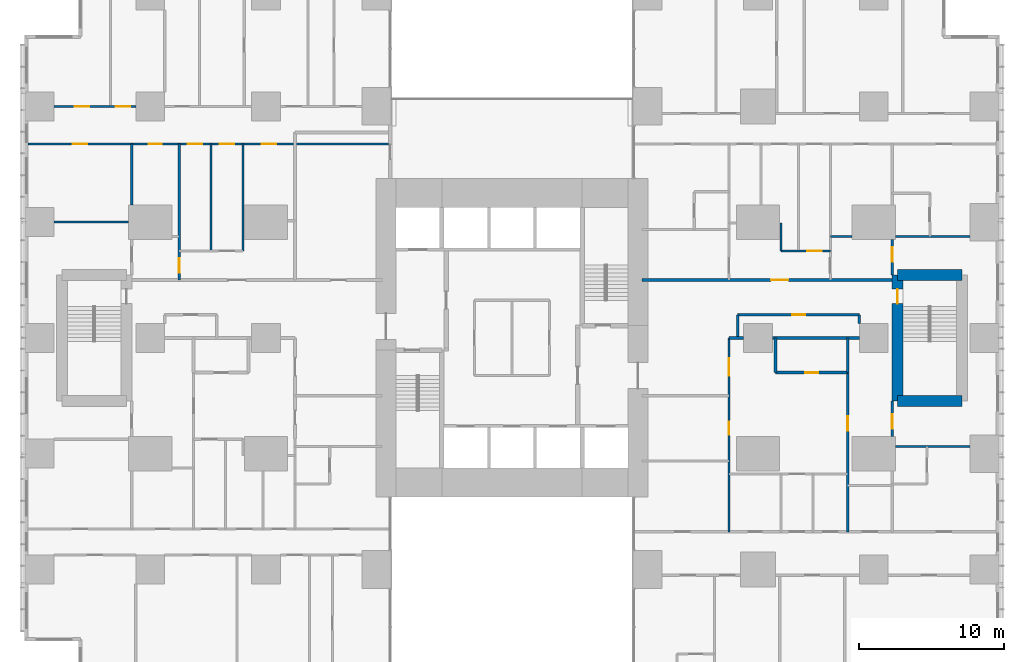
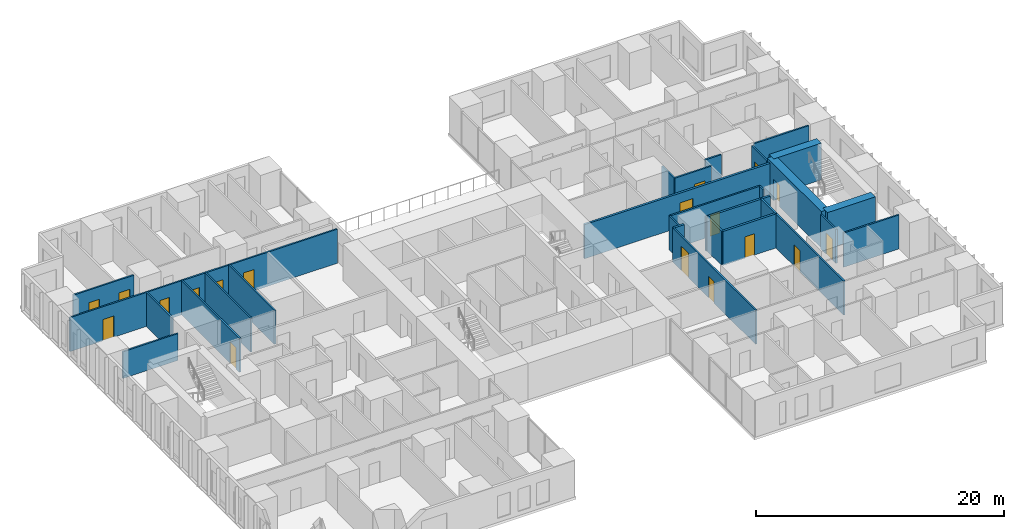
# One storey, part 16 of 20: 28 walls, 18 doors, 18 openings.
"""IFC4 building model written with IfcOpenShell, lengths in metres."""

from ifc_helpers import new_model, si_unit, direction, frame, frame_2d, origin, place, context, subcontext, project, spatial, rectangle, extrude, material, layer, layer_set, type_object, element, fill, save


model = new_model("IFC4")

# Units and contexts
model_context = context("Model", 3, precision=1e-05, world=origin(), true_north=direction((0.0, 1.0)))
body_context = subcontext(model_context, "Body", "Model", "MODEL_VIEW")
ifc_project = project(units=[si_unit("LENGTHUNIT", "METRE"), si_unit("AREAUNIT", "SQUARE_METRE"), si_unit("VOLUMEUNIT", "CUBIC_METRE"), si_unit("PLANEANGLEUNIT", "RADIAN"), si_unit("MASSUNIT", "GRAM", prefix="KILO")], contexts=[model_context])

# Site, building, storey
site_placement = place(None, origin())
site = spatial("IfcSite", under=ifc_project, at=site_placement, CompositionType="ELEMENT")
building_placement = place(site_placement, origin())
building = spatial("IfcBuilding", under=site, at=building_placement, Name="Cleftline Residences", CompositionType="ELEMENT")
storey_placement = place(building_placement, frame((0.0, 0.0, 96.199951171875)))
storey = spatial("IfcBuildingStorey", under=building, at=storey_placement, Name="L24", CompositionType="ELEMENT", Elevation=96.199951171875)

# Wall, opening, door
ifc_material_1 = material(Name="Concrete blockwork, fire rated", Category="masonry")
ifc_layer_1 = layer(ifc_material_1, 0.199951171875)
ifc_layer_set_1 = layer_set([ifc_layer_1], Name="FIRE WALL 200")
wall_type_1 = type_object("IfcWallType", Name="FIRE WALL 200", PredefinedType="PARTITIONING", material=ifc_layer_set_1)
wall_1_placement = place(storey_placement, frame((51.199951171875, 21.60009765625, 0.0), z_axis=(0.0, 0.0, 1.0), x_axis=(1.0, 0.0, 0.0)))
wall_1 = element("IfcWall", 1, at=wall_1_placement, inside=storey, type_object=wall_type_1, Name="Fire separating wall", PredefinedType="PARTITIONING", context=body_context, shape_type="SweptSolid", body=[
    extrude(rectangle(XDim=5.0, YDim=0.199951171875, at=frame_2d((2.5, 0.0))), origin(), (0.0, 0.0, 1.0), 3.35009765625),
])
opening_1_placement = place(wall_1_placement, frame((2.050048828125, 0.0, 0.0)))
opening_1 = element("IfcOpeningElement", 2, at=opening_1_placement, cuts=wall_1, Name="Opening D1F30", PredefinedType="OPENING", context=body_context, shape_type="SweptSolid", body=[
    extrude(rectangle(XDim=0.89990234375, YDim=2.10009765625, at=frame_2d((0.449951171875, 1.050048828125))), frame((0.0, 0.10986328125, 0.0), z_axis=(0.0, -1.0, 0.0), x_axis=(1.0, 0.0, 0.0)), (0.0, 0.0, 1.0), 0.219970703125),
])
ifc_material_2 = material(Name="Timber veneer on solid core", Category="wood")
door_type_1 = type_object("IfcDoorType", Name="DOOR 900X2100 EI 30", OperationType="SINGLE_SWING_LEFT", PredefinedType="DOOR", material=ifc_material_2)
door_1_placement = place(opening_1_placement, origin())
door_1 = element("IfcDoor", 3, at=door_1_placement, inside=storey, type_object=door_type_1, Name="Door to cloakroom wc", OperationType="SINGLE_SWING_LEFT", OverallHeight=2.10009765625, OverallWidth=0.89990234375, PredefinedType="DOOR", context=body_context, shape_type="SweptSolid", body=[
    extrude(rectangle(XDim=0.89990234375, YDim=2.10009765625, at=frame_2d((0.449951171875, 1.050048828125))), frame((0.0, 0.02490234375, 0.0), z_axis=(0.0, -1.0, 0.0), x_axis=(1.0, 0.0, 0.0)), (0.0, 0.0, 1.0), 0.050048828125),
])
fill(opening_1, door_1)

# Walls
wall_2_placement = place(storey_placement, frame((48.0, 24.0, 0.0), z_axis=(0.0, 0.0, 1.0), x_axis=(1.0, 0.0, 0.0)))
element("IfcWall", 4, at=wall_2_placement, inside=storey, type_object=wall_type_1, Name="Fire separating wall", PredefinedType="PARTITIONING", context=body_context, shape_type="SweptSolid", body=[
    extrude(rectangle(XDim=1.0, YDim=0.199951171875, at=frame_2d((0.5, 0.0))), origin(), (0.0, 0.0, 1.0), 3.35009765625),
])
wall_3_placement = place(storey_placement, frame((51.0, 24.0, 0.0), z_axis=(0.0, 0.0, 1.0), x_axis=(1.0, 0.0, 0.0)))
element("IfcWall", 5, at=wall_3_placement, inside=storey, type_object=wall_type_1, Name="Fire separating wall", PredefinedType="PARTITIONING", context=body_context, shape_type="SweptSolid", body=[
    extrude(rectangle(XDim=6.0, YDim=0.199951171875, at=frame_2d((3.0, 0.0))), origin(), (0.0, 0.0, 1.0), 3.35009765625),
])

# Wall, opening, door
wall_4_placement = place(storey_placement, frame((42.0, 28.0, 0.0), z_axis=(0.0, 0.0, 1.0), x_axis=(1.0, 0.0, 0.0)))
wall_4 = element("IfcWall", 6, at=wall_4_placement, inside=storey, type_object=wall_type_1, Name="Fire separating wall", PredefinedType="PARTITIONING", context=body_context, shape_type="SweptSolid", body=[
    extrude(rectangle(XDim=17.27490234375, YDim=0.199951171875, at=frame_2d((8.637451171875, 0.0))), origin(), (0.0, 0.0, 1.0), 3.35009765625),
])
opening_2_placement = place(wall_4_placement, frame((8.89990234375, 0.0, 0.0)))
opening_2 = element("IfcOpeningElement", 7, at=opening_2_placement, cuts=wall_4, Name="Opening D4", PredefinedType="OPENING", context=body_context, shape_type="SweptSolid", body=[
    extrude(rectangle(XDim=1.199951171875, YDim=2.39990234375, at=frame_2d((0.60009765625, 1.199951171875))), frame((0.0, 0.10986328125, 0.0), z_axis=(0.0, -1.0, 0.0), x_axis=(1.0, 0.0, 0.0)), (0.0, 0.0, 1.0), 0.219970703125),
])
ifc_material_3 = material(Name="Timber veneer on solid core", Category="wood")
door_type_2 = type_object("IfcDoorType", Name="APARTMENT ENTRANCE DOOR 1200X2400", OperationType="SINGLE_SWING_RIGHT", PredefinedType="DOOR", material=ifc_material_3)
door_2_placement = place(opening_2_placement, origin())
door_2 = element("IfcDoor", 8, at=door_2_placement, inside=storey, type_object=door_type_2, Name="Door to residence entrance foyer", OperationType="SINGLE_SWING_LEFT", OverallHeight=2.39990234375, OverallWidth=1.199951171875, PredefinedType="DOOR", context=body_context, shape_type="SweptSolid", body=[
    extrude(rectangle(XDim=1.199951171875, YDim=2.39990234375, at=frame_2d((0.60009765625, 1.199951171875))), frame((0.0, 0.02490234375, 0.0), z_axis=(0.0, -1.0, 0.0), x_axis=(1.0, 0.0, 0.0)), (0.0, 0.0, 1.0), 0.050048828125),
])
fill(opening_2, door_2)

# Walls
for number, where, z_axis, x_axis, name in (
    (9, (51.199951171875, 21.60009765625, 0.0), (0.0, 0.0, 1.0), (0.0, 1.0, 0.0), "Fire separating wall"),
    (10, (56.199951171875, 21.60009765625, 0.0), (0.0, 0.0, 1.0), (0.0, 1.0, 0.0), "Fire separating wall"),
):
    element("IfcWall", number, at=place(storey_placement, frame(where, z_axis=z_axis, x_axis=x_axis)), inside=storey, type_object=wall_type_1, Name=name, PredefinedType="PARTITIONING", context=body_context, shape_type="SweptSolid", body=[
        extrude(rectangle(XDim=2.39990234375, YDim=0.199951171875, at=frame_2d((1.199951171875, 0.0))), origin(), (0.0, 0.0, 1.0), 3.35009765625),
    ])
ifc_material_4 = material(Name="Gypsum board on steel studs", Category="steel")
ifc_layer_2 = layer(ifc_material_4, 0.14990234375)
ifc_layer_set_2 = layer_set([ifc_layer_2], Name="PARTITION 150")
wall_type_2 = type_object("IfcWallType", Name="PARTITION 150", PredefinedType="PARTITIONING", material=ifc_layer_set_2)
wall_5_placement = place(storey_placement, frame((59.5, 16.5, 0.0), z_axis=(0.0, 0.0, 1.0), x_axis=(1.0, 0.0, 0.0)))
element("IfcWall", 11, at=wall_5_placement, inside=storey, type_object=wall_type_2, Name="Partition", PredefinedType="PARTITIONING", context=body_context, shape_type="SweptSolid", body=[
    extrude(rectangle(XDim=5.14990234375, YDim=0.14990234375, at=frame_2d((2.574951171875, 0.0))), origin(), (0.0, 0.0, 1.0), 3.35009765625),
])

# Wall, opening, door
wall_6_placement = place(storey_placement, frame((48.60009765625, 25.60009765625, 0.0), z_axis=(0.0, 0.0, 1.0), x_axis=(1.0, 0.0, 0.0)))
wall_6 = element("IfcWall", 12, at=wall_6_placement, inside=storey, type_object=wall_type_2, Name="Partition", PredefinedType="PARTITIONING", context=body_context, shape_type="SweptSolid", body=[
    extrude(rectangle(XDim=8.39990234375, YDim=0.14990234375, at=frame_2d((4.199951171875, 0.0))), origin(), (0.0, 0.0, 1.0), 3.35009765625),
])
opening_3_placement = place(wall_6_placement, frame((3.75, 0.0, 0.0)))
opening_3 = element("IfcOpeningElement", 13, at=opening_3_placement, cuts=wall_6, Name="Opening D1", PredefinedType="OPENING", context=body_context, shape_type="SweptSolid", body=[
    extrude(rectangle(XDim=0.89990234375, YDim=2.10009765625, at=frame_2d((0.449951171875, 1.050048828125))), frame((0.0, 0.0849609375, 0.0), z_axis=(0.0, -1.0, 0.0), x_axis=(1.0, 0.0, 0.0)), (0.0, 0.0, 1.0), 0.169921875),
])
ifc_material_5 = material(Name="Timber veneer on solid core", Category="wood")
door_type_3 = type_object("IfcDoorType", Name="DOOR 900X2100", OperationType="SINGLE_SWING_LEFT", PredefinedType="DOOR", material=ifc_material_5)
door_3_placement = place(opening_3_placement, origin())
door_3 = element("IfcDoor", 14, at=door_3_placement, inside=storey, type_object=door_type_3, Name="Door to residents' locker room", OperationType="SINGLE_SWING_LEFT", OverallHeight=2.10009765625, OverallWidth=0.89990234375, PredefinedType="DOOR", context=body_context, shape_type="SweptSolid", body=[
    extrude(rectangle(XDim=0.89990234375, YDim=2.10009765625, at=frame_2d((0.449951171875, 1.050048828125))), frame((0.0, 0.02490234375, 0.0), z_axis=(0.0, -1.0, 0.0), x_axis=(1.0, 0.0, 0.0)), (0.0, 0.0, 1.0), 0.050048828125),
])
fill(opening_3, door_3)

wall_7_placement = place(storey_placement, frame((51.60009765625, 30.0, 0.0), z_axis=(0.0, 0.0, 1.0), x_axis=(1.0, 0.0, 0.0)))
wall_7 = element("IfcWall", 15, at=wall_7_placement, inside=storey, type_object=wall_type_2, Name="Partition", PredefinedType="PARTITIONING", context=body_context, shape_type="SweptSolid", body=[
    extrude(rectangle(XDim=3.39990234375, YDim=0.14990234375, at=frame_2d((1.699951171875, 0.0))), origin(), (0.0, 0.0, 1.0), 3.35009765625),
])
opening_4_placement = place(wall_7_placement, frame((1.800048828125, 0.0, 0.0)))
opening_4 = element("IfcOpeningElement", 16, at=opening_4_placement, cuts=wall_7, Name="Opening D2", PredefinedType="OPENING", context=body_context, shape_type="SweptSolid", body=[
    extrude(rectangle(XDim=1.0, YDim=2.10009765625, at=frame_2d((0.5, 1.050048828125))), frame((0.0, 0.0849609375, 0.0), z_axis=(0.0, -1.0, 0.0), x_axis=(1.0, 0.0, 0.0)), (0.0, 0.0, 1.0), 0.169921875),
])
ifc_material_6 = material(Name="Timber veneer on solid core", Category="wood")
door_type_4 = type_object("IfcDoorType", Name="DOOR 1000X2100", OperationType="SINGLE_SWING_LEFT", PredefinedType="DOOR", material=ifc_material_6)
door_4_placement = place(opening_4_placement, origin())
door_4 = element("IfcDoor", 17, at=door_4_placement, inside=storey, type_object=door_type_4, Name="Door to residence passage", OperationType="SINGLE_SWING_LEFT", OverallHeight=2.10009765625, OverallWidth=1.0, PredefinedType="DOOR", context=body_context, shape_type="SweptSolid", body=[
    extrude(rectangle(XDim=1.0, YDim=2.10009765625, at=frame_2d((0.5, 1.050048828125))), frame((0.0, 0.02490234375, 0.0), z_axis=(0.0, -1.0, 0.0), x_axis=(1.0, 0.0, 0.0)), (0.0, 0.0, 1.0), 0.050048828125),
])
fill(opening_4, door_4)

# Walls
wall_8_placement = place(storey_placement, frame((55.0, 31.0, 0.0), z_axis=(0.0, 0.0, 1.0), x_axis=(1.0, 0.0, 0.0)))
element("IfcWall", 18, at=wall_8_placement, inside=storey, type_object=wall_type_2, Name="Partition", PredefinedType="PARTITIONING", context=body_context, shape_type="SweptSolid", body=[
    extrude(rectangle(XDim=1.5, YDim=0.14990234375, at=frame_2d((0.75, 0.0))), origin(), (0.0, 0.0, 1.0), 3.35009765625),
])
wall_9_placement = place(storey_placement, frame((59.5, 31.0, 0.0), z_axis=(0.0, 0.0, 1.0), x_axis=(1.0, 0.0, 0.0)))
element("IfcWall", 19, at=wall_9_placement, inside=storey, type_object=wall_type_2, Name="Partition", PredefinedType="PARTITIONING", context=body_context, shape_type="SweptSolid", body=[
    extrude(rectangle(XDim=5.14990234375, YDim=0.14990234375, at=frame_2d((2.574951171875, 0.0))), origin(), (0.0, 0.0, 1.0), 3.35009765625),
])
wall_10_placement = place(storey_placement, frame((1.35009765625, 32.0, 0.0), z_axis=(0.0, 0.0, 1.0), x_axis=(1.0, 0.0, 0.0)))
element("IfcWall", 20, at=wall_10_placement, inside=storey, type_object=wall_type_2, Name="Partition", PredefinedType="PARTITIONING", context=body_context, shape_type="SweptSolid", body=[
    extrude(rectangle(XDim=5.14990234375, YDim=0.14990234375, at=frame_2d((2.574951171875, 0.0))), origin(), (0.0, 0.0, 1.0), 2.634033203125),
])

# Wall, openings, doors
wall_11_placement = place(storey_placement, frame((-0.449951171875, 37.39990234375, 0.0), z_axis=(0.0, 0.0, 1.0), x_axis=(1.0, 0.0, 0.0)))
wall_11 = element("IfcWall", 21, at=wall_11_placement, inside=storey, type_object=wall_type_2, Name="Partition", PredefinedType="PARTITIONING", context=body_context, shape_type="SweptSolid", body=[
    extrude(rectangle(XDim=24.89990234375, YDim=0.14990234375, at=frame_2d((12.449951171875, 0.0))), origin(), (0.0, 0.0, 1.0), 3.35009765625),
])
opening_5_placement = place(wall_11_placement, frame((13.25, 0.0, 0.0)))
opening_5 = element("IfcOpeningElement", 22, at=opening_5_placement, cuts=wall_11, Name="Opening D2", PredefinedType="OPENING", context=body_context, shape_type="SweptSolid", body=[
    extrude(rectangle(XDim=1.0, YDim=2.10009765625, at=frame_2d((0.5, 1.050048828125))), frame((0.0, 0.0849609375, 0.0), z_axis=(0.0, -1.0, 0.0), x_axis=(1.0, 0.0, 0.0)), (0.0, 0.0, 1.0), 0.169921875),
])
opening_6_placement = place(wall_11_placement, frame((3.08740234375, 0.0, 0.0)))
opening_6 = element("IfcOpeningElement", 23, at=opening_6_placement, cuts=wall_11, Name="Opening D2", PredefinedType="OPENING", context=body_context, shape_type="SweptSolid", body=[
    extrude(rectangle(XDim=1.0, YDim=2.10009765625, at=frame_2d((0.5, 1.050048828125))), frame((0.0, 0.0849609375, 0.0), z_axis=(0.0, -1.0, 0.0), x_axis=(1.0, 0.0, 0.0)), (0.0, 0.0, 1.0), 0.169921875),
])
opening_7_placement = place(wall_11_placement, frame((8.362548828125, 0.0, 0.0)))
opening_7 = element("IfcOpeningElement", 24, at=opening_7_placement, cuts=wall_11, Name="Opening D1", PredefinedType="OPENING", context=body_context, shape_type="SweptSolid", body=[
    extrude(rectangle(XDim=0.89990234375, YDim=2.10009765625, at=frame_2d((0.449951171875, 1.050048828125))), frame((0.0, 0.0849609375, 0.0), z_axis=(0.0, -1.0, 0.0), x_axis=(1.0, 0.0, 0.0)), (0.0, 0.0, 1.0), 0.169921875),
])
opening_8_placement = place(wall_11_placement, frame((11.050048828125, 0.0, 0.0)))
opening_8 = element("IfcOpeningElement", 25, at=opening_8_placement, cuts=wall_11, Name="Opening D2", PredefinedType="OPENING", context=body_context, shape_type="SweptSolid", body=[
    extrude(rectangle(XDim=1.0, YDim=2.10009765625, at=frame_2d((0.5, 1.050048828125))), frame((0.0, 0.0849609375, 0.0), z_axis=(0.0, -1.0, 0.0), x_axis=(1.0, 0.0, 0.0)), (0.0, 0.0, 1.0), 0.169921875),
])
opening_9_placement = place(wall_11_placement, frame((16.14990234375, 0.0, 0.0)))
opening_9 = element("IfcOpeningElement", 26, at=opening_9_placement, cuts=wall_11, Name="Opening D2", PredefinedType="OPENING", context=body_context, shape_type="SweptSolid", body=[
    extrude(rectangle(XDim=1.0, YDim=2.10009765625, at=frame_2d((0.5, 1.050048828125))), frame((0.0, 0.0849609375, 0.0), z_axis=(0.0, -1.0, 0.0), x_axis=(1.0, 0.0, 0.0)), (0.0, 0.0, 1.0), 0.169921875),
])
door_5_placement = place(opening_5_placement, origin())
door_5 = element("IfcDoor", 27, at=door_5_placement, inside=storey, type_object=door_type_4, Name="Door to residence hall", OperationType="SINGLE_SWING_LEFT", OverallHeight=2.10009765625, OverallWidth=1.0, PredefinedType="DOOR", context=body_context, shape_type="SweptSolid", body=[
    extrude(rectangle(XDim=1.0, YDim=2.10009765625, at=frame_2d((0.5, 1.050048828125))), frame((0.0, 0.02490234375, 0.0), z_axis=(0.0, -1.0, 0.0), x_axis=(1.0, 0.0, 0.0)), (0.0, 0.0, 1.0), 0.050048828125),
])
fill(opening_5, door_5)
door_6_placement = place(opening_6_placement, origin())
door_6 = element("IfcDoor", 28, at=door_6_placement, inside=storey, type_object=door_type_4, Name="Door to winter garden", OperationType="SINGLE_SWING_RIGHT", OverallHeight=2.10009765625, OverallWidth=1.0, PredefinedType="DOOR", context=body_context, shape_type="SweptSolid", body=[
    extrude(rectangle(XDim=1.0, YDim=2.10009765625, at=frame_2d((0.5, 1.050048828125))), frame((0.0, 0.02490234375, 0.0), z_axis=(0.0, -1.0, 0.0), x_axis=(1.0, 0.0, 0.0)), (0.0, 0.0, 1.0), 0.050048828125),
])
fill(opening_6, door_6)
door_7_placement = place(opening_8_placement, origin())
door_7 = element("IfcDoor", 29, at=door_7_placement, inside=storey, type_object=door_type_4, Name="Door to family room", OperationType="SINGLE_SWING_RIGHT", OverallHeight=2.10009765625, OverallWidth=1.0, PredefinedType="DOOR", context=body_context, shape_type="SweptSolid", body=[
    extrude(rectangle(XDim=1.0, YDim=2.10009765625, at=frame_2d((0.5, 1.050048828125))), frame((0.0, 0.02490234375, 0.0), z_axis=(0.0, -1.0, 0.0), x_axis=(1.0, 0.0, 0.0)), (0.0, 0.0, 1.0), 0.050048828125),
])
fill(opening_8, door_7)
door_8_placement = place(opening_9_placement, origin())
door_8 = element("IfcDoor", 30, at=door_8_placement, inside=storey, type_object=door_type_4, Name="Door to morning kitchen", OperationType="SINGLE_SWING_LEFT", OverallHeight=2.10009765625, OverallWidth=1.0, PredefinedType="DOOR", context=body_context, shape_type="SweptSolid", body=[
    extrude(rectangle(XDim=1.0, YDim=2.10009765625, at=frame_2d((0.5, 1.050048828125))), frame((0.0, 0.02490234375, 0.0), z_axis=(0.0, -1.0, 0.0), x_axis=(1.0, 0.0, 0.0)), (0.0, 0.0, 1.0), 0.050048828125),
])
fill(opening_9, door_8)
door_9_placement = place(opening_7_placement, origin())
door_9 = element("IfcDoor", 31, at=door_9_placement, inside=storey, type_object=door_type_3, Name="Door to master bathroom", OperationType="SINGLE_SWING_RIGHT", OverallHeight=2.10009765625, OverallWidth=0.89990234375, PredefinedType="DOOR", context=body_context, shape_type="SweptSolid", body=[
    extrude(rectangle(XDim=0.89990234375, YDim=2.10009765625, at=frame_2d((0.449951171875, 1.050048828125))), frame((0.0, 0.02490234375, 0.0), z_axis=(0.0, -1.0, 0.0), x_axis=(1.0, 0.0, 0.0)), (0.0, 0.0, 1.0), 0.050048828125),
])
fill(opening_7, door_9)

wall_12_placement = place(storey_placement, frame((1.35009765625, 40.0, 0.0), z_axis=(0.0, 0.0, 1.0), x_axis=(1.0, 0.0, 0.0)))
wall_12 = element("IfcWall", 32, at=wall_12_placement, inside=storey, type_object=wall_type_2, Name="Partition", PredefinedType="PARTITIONING", context=body_context, shape_type="SweptSolid", body=[
    extrude(rectangle(XDim=5.64990234375, YDim=0.14990234375, at=frame_2d((2.824951171875, 0.0))), origin(), (0.0, 0.0, 1.0), 3.35009765625),
])
opening_10_placement = place(wall_12_placement, frame((1.449951171875, 0.0, 0.0)))
opening_10 = element("IfcOpeningElement", 33, at=opening_10_placement, cuts=wall_12, Name="Opening D2", PredefinedType="OPENING", context=body_context, shape_type="SweptSolid", body=[
    extrude(rectangle(XDim=1.0, YDim=2.10009765625, at=frame_2d((0.5, 1.050048828125))), frame((0.0, 0.0849609375, 0.0), z_axis=(0.0, -1.0, 0.0), x_axis=(1.0, 0.0, 0.0)), (0.0, 0.0, 1.0), 0.169921875),
])
opening_11_placement = place(wall_12_placement, frame((4.27490234375, 0.0, 0.0)))
opening_11 = element("IfcOpeningElement", 34, at=opening_11_placement, cuts=wall_12, Name="Opening D2", PredefinedType="OPENING", context=body_context, shape_type="SweptSolid", body=[
    extrude(rectangle(XDim=1.0, YDim=2.10009765625, at=frame_2d((0.5, 1.050048828125))), frame((0.0, 0.0849609375, 0.0), z_axis=(0.0, -1.0, 0.0), x_axis=(1.0, 0.0, 0.0)), (0.0, 0.0, 1.0), 0.169921875),
])
door_10_placement = place(opening_10_placement, origin())
door_10 = element("IfcDoor", 35, at=door_10_placement, inside=storey, type_object=door_type_4, Name="Door to master bedroom", OperationType="SINGLE_SWING_RIGHT", OverallHeight=2.10009765625, OverallWidth=1.0, PredefinedType="DOOR", context=body_context, shape_type="SweptSolid", body=[
    extrude(rectangle(XDim=1.0, YDim=2.10009765625, at=frame_2d((0.5, 1.050048828125))), frame((0.0, 0.02490234375, 0.0), z_axis=(0.0, -1.0, 0.0), x_axis=(1.0, 0.0, 0.0)), (0.0, 0.0, 1.0), 0.050048828125),
])
fill(opening_10, door_10)
door_11_placement = place(opening_11_placement, origin())
door_11 = element("IfcDoor", 36, at=door_11_placement, inside=storey, type_object=door_type_4, Name="Door to master sitting room", OperationType="SINGLE_SWING_LEFT", OverallHeight=2.10009765625, OverallWidth=1.0, PredefinedType="DOOR", context=body_context, shape_type="SweptSolid", body=[
    extrude(rectangle(XDim=1.0, YDim=2.10009765625, at=frame_2d((0.5, 1.050048828125))), frame((0.0, 0.02490234375, 0.0), z_axis=(0.0, -1.0, 0.0), x_axis=(1.0, 0.0, 0.0)), (0.0, 0.0, 1.0), 0.050048828125),
])
fill(opening_11, door_11)

# Wall
wall_13_placement = place(storey_placement, frame((6.72509765625, 33.199951171875, 0.0), z_axis=(0.0, 0.0, 1.0), x_axis=(0.0, 1.0, 0.0)))
element("IfcWall", 37, at=wall_13_placement, inside=storey, type_object=wall_type_2, Name="Partition", PredefinedType="PARTITIONING", context=body_context, shape_type="SweptSolid", body=[
    extrude(rectangle(XDim=4.199951171875, YDim=0.14990234375, at=frame_2d((2.10009765625, 0.0))), origin(), (0.0, 0.0, 1.0), 3.35009765625),
])

# Wall, opening, door
wall_14_placement = place(storey_placement, frame((10.0, 28.0, 0.0), z_axis=(0.0, 0.0, 1.0), x_axis=(0.0, 1.0, 0.0)))
wall_14 = element("IfcWall", 38, at=wall_14_placement, inside=storey, type_object=wall_type_2, Name="Partition", PredefinedType="PARTITIONING", context=body_context, shape_type="SweptSolid", body=[
    extrude(rectangle(XDim=9.39990234375, YDim=0.14990234375, at=frame_2d((4.699951171875, 0.0))), origin(), (0.0, 0.0, 1.0), 3.35009765625),
])
opening_12_placement = place(wall_14_placement, frame((0.5, 0.0, 0.0)))
opening_12 = element("IfcOpeningElement", 39, at=opening_12_placement, cuts=wall_14, Name="Opening D2F30", PredefinedType="OPENING", context=body_context, shape_type="SweptSolid", body=[
    extrude(rectangle(XDim=1.0, YDim=2.10009765625, at=frame_2d((0.5, 1.050048828125))), frame((0.0, 0.0849609375, 0.0), z_axis=(0.0, -1.0, 0.0), x_axis=(1.0, 0.0, 0.0)), (0.0, 0.0, 1.0), 0.169921875),
])
ifc_material_7 = material(Name="Timber veneer on solid core", Category="wood")
door_type_5 = type_object("IfcDoorType", Name="DOOR 1000X2100 EI 30", OperationType="SINGLE_SWING_LEFT", PredefinedType="DOOR", material=ifc_material_7)
door_12_placement = place(opening_12_placement, origin())
door_12 = element("IfcDoor", 40, at=door_12_placement, inside=storey, type_object=door_type_5, Name="Door to residence lobby (service)", OperationType="SINGLE_SWING_RIGHT", OverallHeight=2.10009765625, OverallWidth=1.0, PredefinedType="DOOR", context=body_context, shape_type="SweptSolid", body=[
    extrude(rectangle(XDim=1.0, YDim=2.10009765625, at=frame_2d((0.5, 1.050048828125))), frame((0.0, 0.02490234375, 0.0), z_axis=(0.0, -1.0, 0.0), x_axis=(1.0, 0.0, 0.0)), (0.0, 0.0, 1.0), 0.050048828125),
])
fill(opening_12, door_12)

# Walls
for number, where, z_axis, x_axis, name in (
    (41, (12.199951171875, 30.0, 0.0), (0.0, 0.0, 1.0), (0.0, 1.0, 0.0), "Partition"),
    (42, (14.39990234375, 30.0, 0.0), (0.0, 0.0, 1.0), (0.0, 1.0, 0.0), "Partition"),
):
    element("IfcWall", number, at=place(storey_placement, frame(where, z_axis=z_axis, x_axis=x_axis)), inside=storey, type_object=wall_type_2, Name=name, PredefinedType="PARTITIONING", context=body_context, shape_type="SweptSolid", body=[
        extrude(rectangle(XDim=7.39990234375, YDim=0.14990234375, at=frame_2d((3.699951171875, 0.0))), origin(), (0.0, 0.0, 1.0), 3.35009765625),
    ])

# Wall, openings, doors
wall_15_placement = place(storey_placement, frame((48.0, 10.60009765625, 0.0), z_axis=(0.0, 0.0, 1.0), x_axis=(0.0, 1.0, 0.0)))
wall_15 = element("IfcWall", 43, at=wall_15_placement, inside=storey, type_object=wall_type_2, Name="Partition", PredefinedType="PARTITIONING", context=body_context, shape_type="SweptSolid", body=[
    extrude(rectangle(XDim=13.39990234375, YDim=0.14990234375, at=frame_2d((6.699951171875, 0.0))), origin(), (0.0, 0.0, 1.0), 3.35009765625),
])
opening_13_placement = place(wall_15_placement, frame((10.800048828125, 0.0, 0.0)))
opening_13 = element("IfcOpeningElement", 44, at=opening_13_placement, cuts=wall_15, Name="Opening D4", PredefinedType="OPENING", context=body_context, shape_type="SweptSolid", body=[
    extrude(rectangle(XDim=1.199951171875, YDim=2.39990234375, at=frame_2d((0.60009765625, 1.199951171875))), frame((0.0, 0.0849609375, 0.0), z_axis=(0.0, -1.0, 0.0), x_axis=(1.0, 0.0, 0.0)), (0.0, 0.0, 1.0), 0.169921875),
])
opening_14_placement = place(wall_15_placement, frame((6.699951171875, 0.0, 0.0)))
opening_14 = element("IfcOpeningElement", 45, at=opening_14_placement, cuts=wall_15, Name="Opening D1F60", PredefinedType="OPENING", context=body_context, shape_type="SweptSolid", body=[
    extrude(rectangle(XDim=0.89990234375, YDim=2.10009765625, at=frame_2d((0.449951171875, 1.050048828125))), frame((0.0, 0.0849609375, 0.0), z_axis=(0.0, -1.0, 0.0), x_axis=(1.0, 0.0, 0.0)), (0.0, 0.0, 1.0), 0.169921875),
])
door_13_placement = place(opening_13_placement, origin())
door_13 = element("IfcDoor", 46, at=door_13_placement, inside=storey, type_object=door_type_2, Name="Door to residence entrance foyer", OperationType="SINGLE_SWING_LEFT", OverallHeight=2.39990234375, OverallWidth=1.199951171875, PredefinedType="DOOR", context=body_context, shape_type="SweptSolid", body=[
    extrude(rectangle(XDim=1.199951171875, YDim=2.39990234375, at=frame_2d((0.60009765625, 1.199951171875))), frame((0.0, 0.02490234375, 0.0), z_axis=(0.0, -1.0, 0.0), x_axis=(1.0, 0.0, 0.0)), (0.0, 0.0, 1.0), 0.050048828125),
])
fill(opening_13, door_13)
ifc_material_8 = material(Name="Timber veneer on solid core", Category="wood")
door_type_6 = type_object("IfcDoorType", Name="DOOR 900X2100 EI 60", OperationType="SINGLE_SWING_LEFT", PredefinedType="DOOR", material=ifc_material_8)
door_14_placement = place(opening_14_placement, origin())
door_14 = element("IfcDoor", 47, at=door_14_placement, inside=storey, type_object=door_type_6, Name="Door to utility room", OperationType="SINGLE_SWING_LEFT", OverallHeight=2.10009765625, OverallWidth=0.89990234375, PredefinedType="DOOR", context=body_context, shape_type="SweptSolid", body=[
    extrude(rectangle(XDim=0.89990234375, YDim=2.10009765625, at=frame_2d((0.449951171875, 1.050048828125))), frame((0.0, 0.02490234375, 0.0), z_axis=(0.0, -1.0, 0.0), x_axis=(1.0, 0.0, 0.0)), (0.0, 0.0, 1.0), 0.050048828125),
])
fill(opening_14, door_14)

# Walls
wall_16_placement = place(storey_placement, frame((48.60009765625, 24.0, 0.0), z_axis=(0.0, 0.0, 1.0), x_axis=(0.0, 1.0, 0.0)))
element("IfcWall", 48, at=wall_16_placement, inside=storey, type_object=wall_type_2, Name="Partition", PredefinedType="PARTITIONING", context=body_context, shape_type="SweptSolid", body=[
    extrude(rectangle(XDim=1.60009765625, YDim=0.14990234375, at=frame_2d((0.800048828125, 0.0))), origin(), (0.0, 0.0, 1.0), 3.35009765625),
])
wall_17_placement = place(storey_placement, frame((51.60009765625, 30.0, 0.0), z_axis=(0.0, 0.0, 1.0), x_axis=(0.0, 1.0, 0.0)))
element("IfcWall", 49, at=wall_17_placement, inside=storey, type_object=wall_type_2, Name="Partition", PredefinedType="PARTITIONING", context=body_context, shape_type="SweptSolid", body=[
    extrude(rectangle(XDim=1.949951171875, YDim=0.14990234375, at=frame_2d((0.97509765625, 0.0))), origin(), (0.0, 0.0, 1.0), 3.35009765625),
])

# Wall, opening, door
wall_18_placement = place(storey_placement, frame((56.199951171875, 10.60009765625, 0.0), z_axis=(0.0, 0.0, 1.0), x_axis=(0.0, 1.0, 0.0)))
wall_18 = element("IfcWall", 50, at=wall_18_placement, inside=storey, type_object=wall_type_2, Name="Partition", PredefinedType="PARTITIONING", context=body_context, shape_type="SweptSolid", body=[
    extrude(rectangle(XDim=11.0, YDim=0.14990234375, at=frame_2d((5.5, 0.0))), origin(), (0.0, 0.0, 1.0), 3.35009765625),
])
opening_15_placement = place(wall_18_placement, frame((7.0, 0.0, 0.0)))
opening_15 = element("IfcOpeningElement", 51, at=opening_15_placement, cuts=wall_18, Name="Opening D2F30", PredefinedType="OPENING", context=body_context, shape_type="SweptSolid", body=[
    extrude(rectangle(XDim=1.0, YDim=2.10009765625, at=frame_2d((0.5, 1.050048828125))), frame((0.0, 0.0849609375, 0.0), z_axis=(0.0, -1.0, 0.0), x_axis=(1.0, 0.0, 0.0)), (0.0, 0.0, 1.0), 0.169921875),
])
door_15_placement = place(opening_15_placement, origin())
door_15 = element("IfcDoor", 52, at=door_15_placement, inside=storey, type_object=door_type_5, Name="Door to residence lobby", OperationType="SINGLE_SWING_LEFT", OverallHeight=2.10009765625, OverallWidth=1.0, PredefinedType="DOOR", context=body_context, shape_type="SweptSolid", body=[
    extrude(rectangle(XDim=1.0, YDim=2.10009765625, at=frame_2d((0.5, 1.050048828125))), frame((0.0, 0.02490234375, 0.0), z_axis=(0.0, -1.0, 0.0), x_axis=(1.0, 0.0, 0.0)), (0.0, 0.0, 1.0), 0.050048828125),
])
fill(opening_15, door_15)

# Wall
wall_19_placement = place(storey_placement, frame((57.0, 25.0, 0.0), z_axis=(0.0, 0.0, 1.0), x_axis=(0.0, 1.0, 0.0)))
element("IfcWall", 53, at=wall_19_placement, inside=storey, type_object=wall_type_2, Name="Partition", PredefinedType="PARTITIONING", context=body_context, shape_type="SweptSolid", body=[
    extrude(rectangle(XDim=0.60009765625, YDim=0.14990234375, at=frame_2d((0.300048828125, 0.0))), origin(), (0.0, 0.0, 1.0), 3.35009765625),
])

# Wall, opening, door
wall_20_placement = place(storey_placement, frame((59.27490234375, 17.199951171875, 0.0), z_axis=(0.0, 0.0, 1.0), x_axis=(0.0, 1.0, 0.0)))
wall_20 = element("IfcWall", 54, at=wall_20_placement, inside=storey, type_object=wall_type_2, Name="Partition", PredefinedType="PARTITIONING", context=body_context, shape_type="SweptSolid", body=[
    extrude(rectangle(XDim=2.449951171875, YDim=0.14990234375, at=frame_2d((1.22509765625, 0.0))), origin(), (0.0, 0.0, 1.0), 3.35009765625),
])
opening_16_placement = place(wall_20_placement, frame((0.53759765625, 0.0, 0.0)))
opening_16 = element("IfcOpeningElement", 55, at=opening_16_placement, cuts=wall_20, Name="Opening D2", PredefinedType="OPENING", context=body_context, shape_type="SweptSolid", body=[
    extrude(rectangle(XDim=1.0, YDim=2.10009765625, at=frame_2d((0.5, 1.050048828125))), frame((0.0, 0.0849609375, 0.0), z_axis=(0.0, -1.0, 0.0), x_axis=(1.0, 0.0, 0.0)), (0.0, 0.0, 1.0), 0.169921875),
])
door_16_placement = place(opening_16_placement, origin())
door_16 = element("IfcDoor", 56, at=door_16_placement, inside=storey, type_object=door_type_4, Name="Door to bedroom 2", OperationType="SINGLE_SWING_RIGHT", OverallHeight=2.10009765625, OverallWidth=1.0, PredefinedType="DOOR", context=body_context, shape_type="SweptSolid", body=[
    extrude(rectangle(XDim=1.0, YDim=2.10009765625, at=frame_2d((0.5, 1.050048828125))), frame((0.0, 0.02490234375, 0.0), z_axis=(0.0, -1.0, 0.0), x_axis=(1.0, 0.0, 0.0)), (0.0, 0.0, 1.0), 0.050048828125),
])
fill(opening_16, door_16)

wall_21_placement = place(storey_placement, frame((59.27490234375, 28.35009765625, 0.0), z_axis=(0.0, 0.0, 1.0), x_axis=(0.0, 1.0, 0.0)))
wall_21 = element("IfcWall", 57, at=wall_21_placement, inside=storey, type_object=wall_type_2, Name="Partition", PredefinedType="PARTITIONING", context=body_context, shape_type="SweptSolid", body=[
    extrude(rectangle(XDim=2.449951171875, YDim=0.14990234375, at=frame_2d((1.22509765625, 0.0))), origin(), (0.0, 0.0, 1.0), 3.35009765625),
])
opening_17_placement = place(wall_21_placement, frame((0.91259765625, 0.0, 0.0)))
opening_17 = element("IfcOpeningElement", 58, at=opening_17_placement, cuts=wall_21, Name="Opening D2", PredefinedType="OPENING", context=body_context, shape_type="SweptSolid", body=[
    extrude(rectangle(XDim=1.0, YDim=2.10009765625, at=frame_2d((0.5, 1.050048828125))), frame((0.0, 0.0849609375, 0.0), z_axis=(0.0, -1.0, 0.0), x_axis=(1.0, 0.0, 0.0)), (0.0, 0.0, 1.0), 0.169921875),
])
door_17_placement = place(opening_17_placement, origin())
door_17 = element("IfcDoor", 59, at=door_17_placement, inside=storey, type_object=door_type_4, Name="Door to altar room", OperationType="SINGLE_SWING_LEFT", OverallHeight=2.10009765625, OverallWidth=1.0, PredefinedType="DOOR", context=body_context, shape_type="SweptSolid", body=[
    extrude(rectangle(XDim=1.0, YDim=2.10009765625, at=frame_2d((0.5, 1.050048828125))), frame((0.0, 0.02490234375, 0.0), z_axis=(0.0, -1.0, 0.0), x_axis=(1.0, 0.0, 0.0)), (0.0, 0.0, 1.0), 0.050048828125),
])
fill(opening_17, door_17)

# Walls
ifc_material_9 = material(Name="Concrete B70", Category="concrete")
ifc_layer_3 = layer(ifc_material_9, 0.75)
ifc_layer_set_3 = layer_set([ifc_layer_3], Name="SHEAR WALL 750")
wall_type_3 = type_object("IfcWallType", Name="SHEAR WALL 750", PredefinedType="SHEAR", material=ifc_layer_set_3)
for number, where, z_axis, x_axis, name in (
    (60, (59.64990234375, 19.64990234375, 0.0), (0.0, 0.0, 1.0), (1.0, 0.0, 0.0), "Wing shear wall"),
    (61, (64.10009765625, 28.35009765625, 0.0), (0.0, 0.0, 1.0), (-1.0, 0.0, 0.0), "Wing shear wall"),
):
    element("IfcWall", number, at=place(storey_placement, frame(where, z_axis=z_axis, x_axis=x_axis)), inside=storey, type_object=wall_type_3, Name=name, PredefinedType="SHEAR", context=body_context, shape_type="SweptSolid", body=[
        extrude(rectangle(XDim=4.4501953125, YDim=0.75, at=frame_2d((2.22509765625, 0.0))), origin(), (0.0, 0.0, 1.0), 3.60009765625),
    ])

# Wall, opening, door
wall_22_placement = place(storey_placement, frame((59.64990234375, 28.35009765625, 0.0), z_axis=(0.0, 0.0, 1.0), x_axis=(0.0, -1.0, 0.0)))
wall_22 = element("IfcWall", 62, at=wall_22_placement, inside=storey, type_object=wall_type_3, Name="Wing shear wall", PredefinedType="SHEAR", context=body_context, shape_type="SweptSolid", body=[
    extrude(rectangle(XDim=8.7001953125, YDim=0.75, at=frame_2d((4.35009765625, 0.0))), origin(), (0.0, 0.0, 1.0), 3.60009765625),
])
opening_18_placement = place(wall_22_placement, frame((0.97509765625, 0.0, 0.0)))
opening_18 = element("IfcOpeningElement", 63, at=opening_18_placement, cuts=wall_22, Name="Opening D5", PredefinedType="OPENING", context=body_context, shape_type="SweptSolid", body=[
    extrude(rectangle(XDim=1.0, YDim=2.10009765625, at=frame_2d((0.5, 1.050048828125))), frame((0.0, 0.385009765625, 0.0), z_axis=(0.0, -1.0, 0.0), x_axis=(1.0, 0.0, 0.0)), (0.0, 0.0, 1.0), 0.77001953125),
])
ifc_material_10 = material(Name="Steel", Category="steel")
door_type_7 = type_object("IfcDoorType", Name="STAIR DOOR 1000X2100", OperationType="SINGLE_SWING_LEFT", PredefinedType="DOOR", material=ifc_material_10)
door_18_placement = place(opening_18_placement, origin())
door_18 = element("IfcDoor", 64, at=door_18_placement, inside=storey, type_object=door_type_7, Name="Stair E door", OperationType="SINGLE_SWING_RIGHT", OverallHeight=2.10009765625, OverallWidth=1.0, PredefinedType="DOOR", context=body_context, shape_type="SweptSolid", body=[
    extrude(rectangle(XDim=1.0, YDim=2.10009765625, at=frame_2d((0.5, 1.050048828125))), frame((0.0, 0.02490234375, 0.0), z_axis=(0.0, -1.0, 0.0), x_axis=(1.0, 0.0, 0.0)), (0.0, 0.0, 1.0), 0.050048828125),
])
fill(opening_18, door_18)

save(model, "model.ifc")
